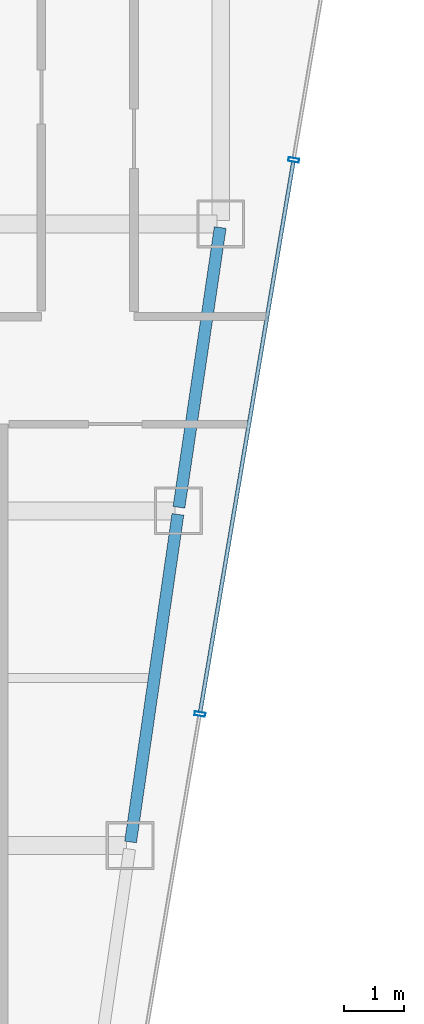
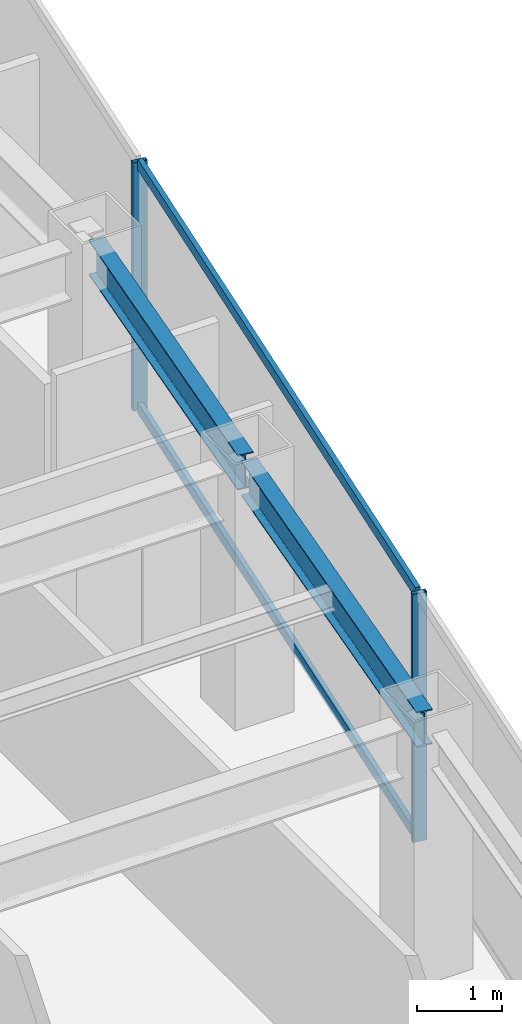
# One storey, part 22 of 36: 4 members, 2 beams, 1 element without a shape of its own.
"""IFC4 building model written with IfcOpenShell, lengths in metres."""

from ifc_helpers import new_model, si_unit, direction, frame, origin, origin_2d, place, context, subcontext, project, spatial, hollow_rectangle, i_section, extrude, material, material_profile, profile_set, type_object, element, aggregate, save


model = new_model("IFC4")

# Units and contexts
model_context = context("Model", 3, precision=1e-05, world=origin(), true_north=direction((0.0, 1.0)))
body_context = subcontext(model_context, "Body", "Model", "MODEL_VIEW")
ifc_project = project(units=[si_unit("LENGTHUNIT", "METRE"), si_unit("AREAUNIT", "SQUARE_METRE"), si_unit("VOLUMEUNIT", "CUBIC_METRE"), si_unit("PLANEANGLEUNIT", "RADIAN"), si_unit("MASSUNIT", "GRAM", prefix="KILO")], contexts=[model_context])

# Site, building, storey
site_placement = place(None, origin())
site = spatial("IfcSite", under=ifc_project, at=site_placement, CompositionType="ELEMENT")
building_placement = place(site_placement, origin())
building = spatial("IfcBuilding", under=site, at=building_placement, Name="Saevonmaru Cultural Tower", CompositionType="ELEMENT")
storey_placement = place(building_placement, frame((0.0, 0.0, 201.800048828125)))
storey = spatial("IfcBuildingStorey", under=building, at=storey_placement, Name="L46", CompositionType="ELEMENT", Elevation=201.800048828125)

# Beams
ifc_material_1 = material(Name="Steel SM355", Category="steel")
ifc_material_profile_1 = material_profile(ifc_material_1, i_section(OverallWidth=0.199951171875, OverallDepth=0.5, WebThickness=0.010009765625, FlangeThickness=0.01611328125, FilletRadius=0.02001953125, at=origin_2d()), Name="H-500x200x10x16")
ifc_profile_set_1 = profile_set([ifc_material_profile_1], Name="Steel SM355")
beam_type = type_object("IfcBeamType", Name="BM-SP-H500", PredefinedType="SPANDREL", material=ifc_profile_set_1)
beam_1_placement = place(storey_placement, frame((51.691650390625, 32.059326171875, 3.300048828125), z_axis=(0.142964121327, 0.989727871697, 0.0), x_axis=(-0.989727871697, 0.142964121327, 0.0)))
element("IfcBeam", 1, at=beam_1_placement, inside=storey, type_object=beam_type, Name="L46 East Splayed Spandrel 3", PredefinedType="SPANDREL", context=body_context, shape_type="SweptSolid", body=[
    extrude(i_section(OverallWidth=0.199951171875, OverallDepth=0.5, WebThickness=0.010009765625, FlangeThickness=0.01611328125, FilletRadius=0.02001953125, at=origin_2d()), origin(), (0.0, 0.0, 1.0), 5.5380859375),
])
beam_2_placement = place(storey_placement, frame((52.500732421875, 37.659423828125, 3.300048828125), z_axis=(0.145912860028, 0.989297446312, 0.0), x_axis=(-0.989297446312, 0.145912860028, 0.0)))
element("IfcBeam", 2, at=beam_2_placement, inside=storey, type_object=beam_type, Name="L46 East Splayed Spandrel 4", PredefinedType="SPANDREL", context=body_context, shape_type="SweptSolid", body=[
    extrude(i_section(OverallWidth=0.199951171875, OverallDepth=0.5, WebThickness=0.010009765625, FlangeThickness=0.01611328125, FilletRadius=0.02001953125, at=origin_2d()), origin(), (0.0, 0.0, 1.0), 4.731689453125),
])

# Curtain wall, members
ifc_material_2 = material(Name="Satin Bronze Anodised Aluminium", Category="aluminium")
curtain_wall_type = type_object("IfcCurtainWallType", Name="CW-TYP-B", PredefinedType="NOTDEFINED", material=ifc_material_2)
curtain_wall_placement = place(storey_placement, origin())
curtain_wall = element("IfcCurtainWall", 3, at=curtain_wall_placement, inside=storey, type_object=curtain_wall_type, Name="L46 Unitised Curtain Wall E8", PredefinedType="NOTDEFINED")
ifc_material_profile_2 = material_profile(ifc_material_2, hollow_rectangle(XDim=0.06494140625, YDim=0.179931640625, WallThickness=0.00390625, at=origin_2d()), Name="ALU-MULL-180x65x4")
ifc_profile_set_2 = profile_set([ifc_material_profile_2], Name="Satin Bronze Anodised Aluminium")
member_type_1 = type_object("IfcMemberType", Name="ML-CW-180x65", PredefinedType="MULLION", material=ifc_profile_set_2)
member_1_placement = place(storey_placement, frame((52.85107421875, 34.199951171875, 0.0), z_axis=(0.0, 0.0, 1.0), x_axis=(0.16692169721, 0.985970155228, 0.0)))
member_1 = element("IfcMember", 4, at=member_1_placement, type_object=member_type_1, Name="CW-TW-L46-E8 mullion 3", PredefinedType="MULLION", context=body_context, shape_type="SweptSolid", body=[
    extrude(hollow_rectangle(XDim=0.06494140625, YDim=0.179931640625, WallThickness=0.00390625, at=origin_2d()), origin(), (0.0, 0.0, 1.0), 3.550048828125),
])
member_2_placement = place(storey_placement, frame((54.420654296875, 43.470458984375, 0.0), z_axis=(0.0, 0.0, 1.0), x_axis=(0.16692169721, 0.985970155228, 0.0)))
member_2 = element("IfcMember", 5, at=member_2_placement, type_object=member_type_1, Name="CW-TW-L46-E8 mullion 4", PredefinedType="MULLION", context=body_context, shape_type="SweptSolid", body=[
    extrude(hollow_rectangle(XDim=0.06494140625, YDim=0.179931640625, WallThickness=0.00390625, at=origin_2d()), origin(), (0.0, 0.0, 1.0), 3.550048828125),
])
ifc_material_profile_3 = material_profile(ifc_material_2, hollow_rectangle(XDim=0.06494140625, YDim=0.14990234375, WallThickness=0.00390625, at=origin_2d()), Name="ALU-TRAN-150x65x4")
ifc_profile_set_3 = profile_set([ifc_material_profile_3], Name="Satin Bronze Anodised Aluminium")
member_type_2 = type_object("IfcMemberType", Name="TR-CW-150x65", PredefinedType="USERDEFINED", material=ifc_profile_set_3)
member_3_placement = place(storey_placement, frame((52.8564453125, 34.23193359375, 0.032470703125), z_axis=(0.166916960754, 0.985970957084, 0.0), x_axis=(-0.985970957084, 0.166916960754, 0.0)))
member_3 = element("IfcMember", 6, at=member_3_placement, type_object=member_type_2, Name="CW-TW-L46-E8 transom 3.1", ObjectType="TRANSOM", PredefinedType="USERDEFINED", context=body_context, shape_type="SweptSolid", body=[
    extrude(hollow_rectangle(XDim=0.06494140625, YDim=0.14990234375, WallThickness=0.00390625, at=origin_2d()), origin(), (0.0, 0.0, 1.0), 9.337646484375),
])
member_4_placement = place(storey_placement, frame((52.8564453125, 34.23193359375, 3.517333984375), z_axis=(0.166916960754, 0.985970957084, 0.0), x_axis=(-0.985970957084, 0.166916960754, 0.0)))
member_4 = element("IfcMember", 7, at=member_4_placement, type_object=member_type_2, Name="CW-TW-L46-E8 transom 3.2", ObjectType="TRANSOM", PredefinedType="USERDEFINED", context=body_context, shape_type="SweptSolid", body=[
    extrude(hollow_rectangle(XDim=0.06494140625, YDim=0.14990234375, WallThickness=0.00390625, at=origin_2d()), origin(), (0.0, 0.0, 1.0), 9.337646484375),
])
aggregate(curtain_wall, [member_1, member_2, member_3, member_4])

save(model, "model.ifc")
